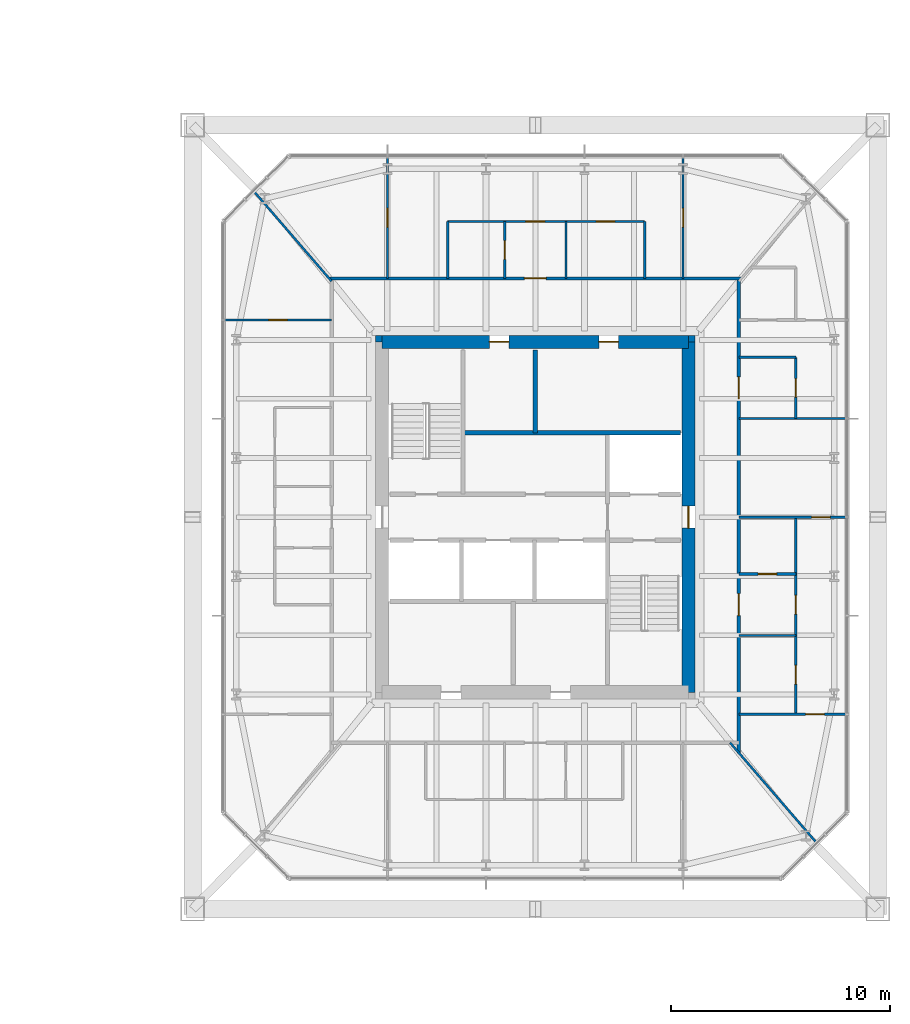
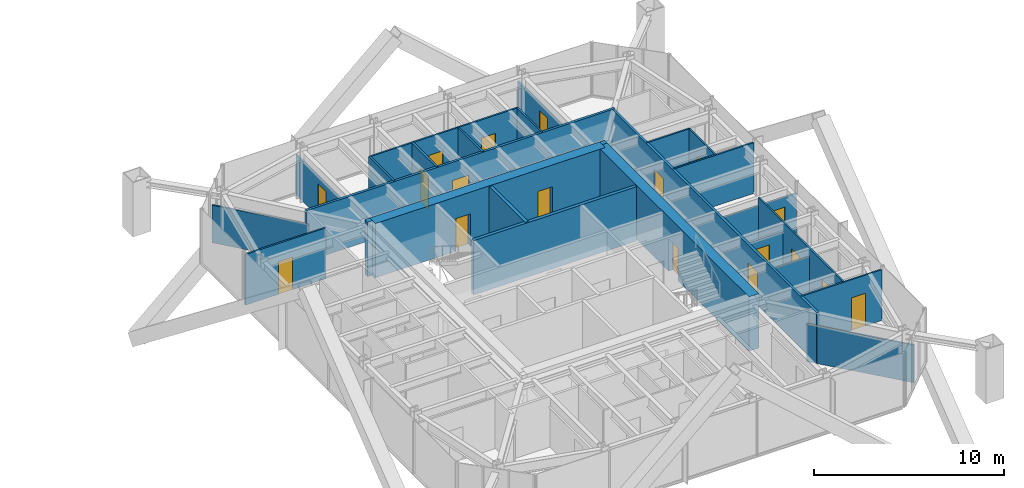
# One storey, part 18 of 25: 26 walls, 18 doors, 18 openings.
"""IFC4 building model written with IfcOpenShell, lengths in metres."""

import ifcopenshell
import ifcopenshell.guid

model = None  # the IFC model being written
_history = None  # IfcOwnerHistory: only IFC2X3 demands one
_inside = {}  # id of a spatial element -> (the spatial element, [elements in it])
_under = {}  # id of a project, library or spatial element -> (it, [spatial elements below it])
_declared = {}  # id of a project -> (the project, [libraries it declares])
_typed = {}  # id of a type object -> (the type object, [elements of that type])
_made_of = {}  # id of a material, layer set ... -> (it, [elements and type objects made of it])


def new_model(schema):
    """Start an empty IFC model of exactly this schema.

    Asked for "IFC4X3", IfcOpenShell would pick the latest addendum, in which some entities
    have other attributes; the version numbers below select the first issue.
    IFC2X3 requires an IfcOwnerHistory on every rooted entity: one is made here for all.
    """
    global model, _history
    if schema == "IFC4X3":
        model = ifcopenshell.file(schema_version=(4, 3, 0, 0))
    else:
        model = ifcopenshell.file(schema=schema)
    _inside.clear()
    _under.clear()
    _declared.clear()
    _typed.clear()
    _made_of.clear()
    _history = None
    if model.schema == "IFC2X3":
        org = make("IfcOrganization", Name="unknown")
        user = make(
            "IfcPersonAndOrganization",
            ThePerson=make("IfcPerson", FamilyName="unknown"),
            TheOrganization=org,
        )
        app = make(
            "IfcApplication",
            ApplicationDeveloper=org,
            Version="unknown",
            ApplicationFullName="unknown",
            ApplicationIdentifier="unknown",
        )
        _history = make(
            "IfcOwnerHistory",
            OwningUser=user,
            OwningApplication=app,
            ChangeAction="ADDED",
            CreationDate=0,
        )
    return model


def make(cls, **values):
    """One entity of the class cls with the attributes given. An attribute that is None is left unset."""
    return model.create_entity(
        cls, **{name: value for name, value in values.items() if value is not None}
    )


def rooted(cls, **values):
    """An entity with a GlobalId (a new one), such as an element, a storey or a relation."""
    return make(cls, GlobalId=ifcopenshell.guid.new(), OwnerHistory=_history, **values)


def si_unit(unit_type, name, prefix=None):
    """IfcSIUnit, for example si_unit("LENGTHUNIT", "METRE", prefix="MILLI")."""
    return make("IfcSIUnit", UnitType=unit_type, Prefix=prefix, Name=name)


def assignment(units):
    """IfcUnitAssignment: the units of a project."""
    return None if units is None else make("IfcUnitAssignment", Units=units)


def point(xyz):
    """IfcCartesianPoint."""
    return None if xyz is None else make("IfcCartesianPoint", Coordinates=xyz)


def direction(xyz):
    """IfcDirection."""
    return None if xyz is None else make("IfcDirection", DirectionRatios=xyz)


def frame(location, z_axis=None, x_axis=None):
    """IfcAxis2Placement3D, a coordinate frame: its origin and axes. An axis left out is left unset."""
    return make(
        "IfcAxis2Placement3D",
        Location=point(location),
        Axis=direction(z_axis),
        RefDirection=direction(x_axis),
    )


def frame_2d(location, x_axis=None):
    """IfcAxis2Placement2D, a coordinate frame in the plane: its origin and x axis."""
    return make(
        "IfcAxis2Placement2D", Location=point(location), RefDirection=direction(x_axis)
    )


def origin():
    """The frame at (0, 0, 0) with its axes left unset."""
    return frame((0.0, 0.0, 0.0))


def place(relative_to, where):
    """IfcLocalPlacement: puts the frame where relative to a parent placement (None: the world)."""
    return make(
        "IfcLocalPlacement", PlacementRelTo=relative_to, RelativePlacement=where
    )


def context(
    kind, dimensions, precision=None, world=None, true_north=None, identifier=None
):
    """IfcGeometricRepresentationContext, for example the 3D "Model" context."""
    return make(
        "IfcGeometricRepresentationContext",
        ContextIdentifier=identifier,
        ContextType=kind,
        CoordinateSpaceDimension=dimensions,
        Precision=precision,
        WorldCoordinateSystem=world,
        TrueNorth=true_north,
    )


def subcontext(parent, identifier, kind, view, scale=None):
    """IfcGeometricRepresentationSubContext, for example "Body" below "Model"."""
    return make(
        "IfcGeometricRepresentationSubContext",
        ContextIdentifier=identifier,
        ContextType=kind,
        ParentContext=parent,
        TargetScale=scale,
        TargetView=view,
    )


def project(units=None, contexts=None):
    """IfcProject with its units and contexts."""
    return rooted(
        "IfcProject",
        Name="project",
        RepresentationContexts=contexts,
        UnitsInContext=assignment(units),
    )


def spatial(cls, under=None, at=None, **own):
    """A site, building, storey or space (cls), placed at a placement, below another one or the project."""
    s = rooted(cls, ObjectPlacement=at, **own)
    if under is not None:
        _under.setdefault(under.id(), (under, []))[1].append(s)
    return s


def profile(cls, at=None, kind="AREA", **sizes):
    """A parametric profile (cls). Its sizes go by their IFC names, for example OverallWidth=200.0."""
    return make(cls, ProfileType=kind, Position=at, **sizes)


def rectangle(**sizes):
    """IfcRectangleProfileDef."""
    return profile("IfcRectangleProfileDef", **sizes)


def extrude(swept, where, along, depth):
    """IfcExtrudedAreaSolid: the profile swept, set in the frame where, extruded along a direction by depth."""
    return make(
        "IfcExtrudedAreaSolid",
        SweptArea=swept,
        Position=where,
        ExtrudedDirection=direction(along),
        Depth=depth,
    )


def shape(context_of_items, identifier, shape_type, items):
    """IfcShapeRepresentation: the items that make up one representation, for example the "Body"."""
    return make(
        "IfcShapeRepresentation",
        ContextOfItems=context_of_items,
        RepresentationIdentifier=identifier,
        RepresentationType=shape_type,
        Items=items,
    )


def material(Name=None, Category=None):
    """IfcMaterial."""
    return make("IfcMaterial", Name=Name, Category=Category)


def layer(
    of_material, thickness, ventilated=None, Name=None, Category=None, Priority=None
):
    """IfcMaterialLayer: one layer of a wall or slab, of a material (None: an air gap)."""
    return make(
        "IfcMaterialLayer",
        Material=of_material,
        LayerThickness=thickness,
        IsVentilated=ventilated,
        Name=Name,
        Category=Category,
        Priority=Priority,
    )


def layer_set(layers, Name=None):
    """IfcMaterialLayerSet."""
    return make("IfcMaterialLayerSet", MaterialLayers=layers, LayerSetName=Name)


def made_of(thing, what):
    """Note that an element or type object is made of a material, layer set ...; save() writes the relation."""
    if what is not None:
        _made_of.setdefault(what.id(), (what, []))[1].append(thing)
    return thing


def type_object(cls, material=None, **own):
    """A type object (cls), such as IfcWallType, which elements share."""
    return made_of(rooted(cls, **own), material)


def element(
    cls,
    number,
    at=None,
    inside=None,
    cuts=None,
    type_object=None,
    material=None,
    context=None,
    identifier="Body",
    shape_type=None,
    held_by="IfcProductDefinitionShape",
    body=None,
    shapes=None,
    **own,
):
    """One element of the class cls, such as IfcWall. Its Tag is "e" and its number.

    at: its placement. inside: the storey or other place that contains it. cuts: it is an
    opening in that element (IfcRelVoidsElement). A single representation is given by context,
    identifier, shape_type and body (its items); several are given by shapes. held_by: the class
    of the entity that holds the representations. save() writes the other relations.
    """
    e = rooted(cls, Tag="e%d" % number, ObjectPlacement=at, **own)
    if body is not None:
        shapes = [shape(context, identifier, shape_type, body)]
    if shapes is not None:
        e.Representation = make(held_by, Representations=shapes)
    if inside is not None:
        _inside.setdefault(inside.id(), (inside, []))[1].append(e)
    if cuts is not None:
        rooted(
            "IfcRelVoidsElement", RelatingBuildingElement=cuts, RelatedOpeningElement=e
        )
    if type_object is not None:
        _typed.setdefault(type_object.id(), (type_object, []))[1].append(e)
    return made_of(e, material)


def fill(opening, filler):
    """IfcRelFillsElement: the door or window that sits in an opening."""
    return rooted(
        "IfcRelFillsElement",
        RelatingOpeningElement=opening,
        RelatedBuildingElement=filler,
    )


def aggregate(whole, parts):
    """IfcRelAggregates: a whole, such as a stair, and the parts it consists of."""
    return rooted("IfcRelAggregates", RelatingObject=whole, RelatedObjects=parts)


def save(model, path):
    """Write the relations noted so far, then the file.

    IfcRelAggregates (storeys below a building ...), IfcRelContainedInSpatialStructure (elements
    in a storey), IfcRelDefinesByType, IfcRelAssociatesMaterial and IfcRelDeclares: one each for
    every whole, place, type object, material and project.
    """
    for whole, parts in _under.values():
        aggregate(whole, parts)
    for where, things in _inside.values():
        rooted(
            "IfcRelContainedInSpatialStructure",
            RelatedElements=things,
            RelatingStructure=where,
        )
    for kind, things in _typed.values():
        rooted("IfcRelDefinesByType", RelatedObjects=things, RelatingType=kind)
    for what, things in _made_of.values():
        rooted("IfcRelAssociatesMaterial", RelatedObjects=things, RelatingMaterial=what)
    for by, libraries in _declared.values():
        rooted("IfcRelDeclares", RelatingContext=by, RelatedDefinitions=libraries)
    model.write(path)


model = new_model("IFC4")

# Units and contexts
model_context = context("Model", 3, precision=1e-05, world=origin(), true_north=direction((0.0, 1.0)))
body_context = subcontext(model_context, "Body", "Model", "MODEL_VIEW")
ifc_project = project(units=[si_unit("LENGTHUNIT", "METRE"), si_unit("AREAUNIT", "SQUARE_METRE"), si_unit("VOLUMEUNIT", "CUBIC_METRE"), si_unit("PLANEANGLEUNIT", "RADIAN"), si_unit("MASSUNIT", "GRAM", prefix="KILO")], contexts=[model_context])

# Site, building, storey
site_placement = place(None, origin())
site = spatial("IfcSite", under=ifc_project, at=site_placement, CompositionType="ELEMENT")
building_placement = place(site_placement, origin())
building = spatial("IfcBuilding", under=site, at=building_placement, Name="Iwan Alto Co-Living Towers", CompositionType="ELEMENT")
storey_placement = place(building_placement, frame((0.0, 0.0, 108.5)))
storey = spatial("IfcBuildingStorey", under=building, at=storey_placement, Name="L29", CompositionType="ELEMENT", Elevation=108.5)

# Wall, opening, door
ifc_material_1 = material(Name="Gypsum board")
ifc_layer_1 = layer(ifc_material_1, 0.02490234375, Name="Board", Category="Finish")
ifc_material_2 = material(Name="Steel ASTM A1003 ST33H cold-formed studs", Category="steel")
ifc_layer_2 = layer(ifc_material_2, 0.10009765625, Name="Studs", Category="Framing")
ifc_layer_3 = layer(ifc_material_1, 0.02490234375, Name="Board", Category="Finish")
ifc_layer_set_1 = layer_set([ifc_layer_1, ifc_layer_2, ifc_layer_3], Name="CORRIDOR WALL 150")
wall_type_1 = type_object("IfcWallType", Name="CORRIDOR WALL 150", PredefinedType="PARTITIONING", material=ifc_layer_set_1)
wall_1_placement = place(storey_placement, frame((53.5859375, 10.89990234375, 0.0), z_axis=(0.0, 0.0, 1.0), x_axis=(1.0, 0.0, 0.0)))
wall_1 = element("IfcWall", 1, at=wall_1_placement, inside=storey, type_object=wall_type_1, Name="Partition L29", PredefinedType="PARTITIONING", context=body_context, shape_type="SweptSolid", body=[
    extrude(rectangle(XDim=18.828125, YDim=0.14990234375, at=frame_2d((9.4140625, 0.0))), origin(), (0.0, 0.0, 1.0), 3.27001953125),
])
opening_1_placement = place(wall_1_placement, frame((8.9140625, 0.0, 0.0)))
opening_1 = element("IfcOpeningElement", 2, at=opening_1_placement, cuts=wall_1, Name="Opening D3", PredefinedType="OPENING", context=body_context, shape_type="SweptSolid", body=[
    extrude(rectangle(XDim=1.0, YDim=2.10009765625, at=frame_2d((0.5, 1.050048828125))), frame((0.0, 0.0849609375, 0.0), z_axis=(0.0, -1.0, 0.0), x_axis=(1.0, 0.0, 0.0)), (0.0, 0.0, 1.0), 0.169921875),
])
ifc_material_3 = material(Name="Steel frame with timber leaf", Category="steel")
door_type_1 = type_object("IfcDoorType", Name="FLAT ENTRANCE DOOR FD30S 1000X2100", OperationType="SINGLE_SWING_LEFT", PredefinedType="DOOR", material=ifc_material_3)
door_1_placement = place(opening_1_placement, origin())
door_1 = element("IfcDoor", 3, at=door_1_placement, inside=storey, type_object=door_type_1, Name="Apartment foyer door L29", OperationType="SINGLE_SWING_LEFT", OverallHeight=2.10009765625, OverallWidth=1.0, PredefinedType="DOOR", context=body_context, shape_type="SweptSolid", body=[
    extrude(rectangle(XDim=1.0, YDim=2.10009765625, at=frame_2d((0.5, 1.050048828125))), frame((0.0, 0.02490234375, 0.0), z_axis=(0.0, -1.0, 0.0), x_axis=(1.0, 0.0, 0.0)), (0.0, 0.0, 1.0), 0.050048828125),
])
fill(opening_1, door_1)

# Wall, openings, doors
wall_2_placement = place(storey_placement, frame((72.300048828125, -10.76806640625, 0.0), z_axis=(0.0, 0.0, 1.0), x_axis=(0.0, 1.0, 0.0)))
wall_2 = element("IfcWall", 4, at=wall_2_placement, inside=storey, type_object=wall_type_1, Name="Partition L29", PredefinedType="PARTITIONING", context=body_context, shape_type="SweptSolid", body=[
    extrude(rectangle(XDim=21.66796875, YDim=0.14990234375, at=frame_2d((10.833984375, 0.0))), origin(), (0.0, 0.0, 1.0), 3.27001953125),
])
opening_2_placement = place(wall_2_placement, frame((6.26806640625, 0.0, 0.0)))
opening_2 = element("IfcOpeningElement", 5, at=opening_2_placement, cuts=wall_2, Name="Opening D3", PredefinedType="OPENING", context=body_context, shape_type="SweptSolid", body=[
    extrude(rectangle(XDim=1.0, YDim=2.10009765625, at=frame_2d((0.5, 1.050048828125))), frame((0.0, 0.0849609375, 0.0), z_axis=(0.0, -1.0, 0.0), x_axis=(1.0, 0.0, 0.0)), (0.0, 0.0, 1.0), 0.169921875),
])
opening_3_placement = place(wall_2_placement, frame((16.16796875, 0.0, 0.0)))
opening_3 = element("IfcOpeningElement", 6, at=opening_3_placement, cuts=wall_2, Name="Opening D3", PredefinedType="OPENING", context=body_context, shape_type="SweptSolid", body=[
    extrude(rectangle(XDim=1.0, YDim=2.10009765625, at=frame_2d((0.5, 1.050048828125))), frame((0.0, 0.0849609375, 0.0), z_axis=(0.0, -1.0, 0.0), x_axis=(1.0, 0.0, 0.0)), (0.0, 0.0, 1.0), 0.169921875),
])
door_2_placement = place(opening_2_placement, frame((1.0, 0.0, 0.0), z_axis=(0.0, 0.0, 1.0), x_axis=(-1.0, 0.0, 0.0)))
door_2 = element("IfcDoor", 7, at=door_2_placement, inside=storey, type_object=door_type_1, Name="Apartment foyer door L29", OperationType="SINGLE_SWING_RIGHT", OverallHeight=2.10009765625, OverallWidth=1.0, PredefinedType="DOOR", context=body_context, shape_type="SweptSolid", body=[
    extrude(rectangle(XDim=1.0, YDim=2.10009765625, at=frame_2d((0.5, 1.050048828125))), frame((0.0, 0.02490234375, 0.0), z_axis=(0.0, -1.0, 0.0), x_axis=(1.0, 0.0, 0.0)), (0.0, 0.0, 1.0), 0.050048828125),
])
fill(opening_2, door_2)
door_3_placement = place(opening_3_placement, frame((1.0, 0.0, 0.0), z_axis=(0.0, 0.0, 1.0), x_axis=(-1.0, 0.0, 0.0)))
door_3 = element("IfcDoor", 8, at=door_3_placement, inside=storey, type_object=door_type_1, Name="Apartment foyer door L29", OperationType="SINGLE_SWING_RIGHT", OverallHeight=2.10009765625, OverallWidth=1.0, PredefinedType="DOOR", context=body_context, shape_type="SweptSolid", body=[
    extrude(rectangle(XDim=1.0, YDim=2.10009765625, at=frame_2d((0.5, 1.050048828125))), frame((0.0, 0.02490234375, 0.0), z_axis=(0.0, -1.0, 0.0), x_axis=(1.0, 0.0, 0.0)), (0.0, 0.0, 1.0), 0.050048828125),
])
fill(opening_3, door_3)

# Wall, opening, door
ifc_layer_4 = layer(ifc_material_1, 0.012451171875, Name="Board", Category="Finish")
ifc_layer_5 = layer(ifc_material_2, 0.074951171875, Name="Studs", Category="Framing")
ifc_layer_6 = layer(ifc_material_1, 0.012451171875, Name="Board", Category="Finish")
ifc_layer_set_2 = layer_set([ifc_layer_4, ifc_layer_5, ifc_layer_6], Name="PARTITION 100")
wall_type_2 = type_object("IfcWallType", Name="PARTITION 100", PredefinedType="PARTITIONING", material=ifc_layer_set_2)
wall_3_placement = place(storey_placement, frame((72.300048828125, -9.0, 0.0), z_axis=(0.0, 0.0, 1.0), x_axis=(1.0, 0.0, 0.0)))
wall_3 = element("IfcWall", 9, at=wall_3_placement, inside=storey, type_object=wall_type_2, Name="Partition L29", PredefinedType="PARTITIONING", context=body_context, shape_type="SweptSolid", body=[
    extrude(rectangle(XDim=4.889892578125, YDim=0.10009765625, at=frame_2d((2.44482421875, 0.0))), origin(), (0.0, 0.0, 1.0), 3.27001953125),
])
opening_4_placement = place(wall_3_placement, frame((3.050048828125, 0.0, 0.0)))
opening_4 = element("IfcOpeningElement", 10, at=opening_4_placement, cuts=wall_3, Name="Opening D2", PredefinedType="OPENING", context=body_context, shape_type="SweptSolid", body=[
    extrude(rectangle(XDim=0.85009765625, YDim=2.10009765625, at=frame_2d((0.425048828125, 1.050048828125))), frame((0.0, 0.06005859375, 0.0), z_axis=(0.0, -1.0, 0.0), x_axis=(1.0, 0.0, 0.0)), (0.0, 0.0, 1.0), 0.1201171875),
])
ifc_material_4 = material(Name="Timber leaf in steel frame", Category="steel")
door_type_2 = type_object("IfcDoorType", Name="ROOM DOOR 850X2100", OperationType="SINGLE_SWING_LEFT", PredefinedType="DOOR", material=ifc_material_4)
door_4_placement = place(opening_4_placement, frame((0.85009765625, 0.0, 0.0), z_axis=(0.0, 0.0, 1.0), x_axis=(-1.0, 0.0, 0.0)))
door_4 = element("IfcDoor", 11, at=door_4_placement, inside=storey, type_object=door_type_2, Name="Bedroom door L29", OperationType="SINGLE_SWING_LEFT", OverallHeight=2.10009765625, OverallWidth=0.85009765625, PredefinedType="DOOR", context=body_context, shape_type="SweptSolid", body=[
    extrude(rectangle(XDim=0.85009765625, YDim=2.10009765625, at=frame_2d((0.425048828125, 1.050048828125))), frame((0.0, 0.02490234375, 0.0), z_axis=(0.0, -1.0, 0.0), x_axis=(1.0, 0.0, 0.0)), (0.0, 0.0, 1.0), 0.050048828125),
])
fill(opening_4, door_4)

# Walls
wall_4_placement = place(storey_placement, frame((72.300048828125, -5.39990234375, 0.0), z_axis=(0.0, 0.0, 1.0), x_axis=(1.0, 0.0, 0.0)))
element("IfcWall", 12, at=wall_4_placement, inside=storey, type_object=wall_type_2, Name="Partition L29", PredefinedType="PARTITIONING", context=body_context, shape_type="SweptSolid", body=[
    extrude(rectangle(XDim=2.599853515625, YDim=0.10009765625, at=frame_2d((1.2998046875, 0.0))), origin(), (0.0, 0.0, 1.0), 2.736572265625),
])
wall_5_placement = place(storey_placement, frame((72.300048828125, 4.5, 0.0), z_axis=(0.0, 0.0, 1.0), x_axis=(1.0, 0.0, 0.0)))
element("IfcWall", 13, at=wall_5_placement, inside=storey, type_object=wall_type_2, Name="Partition L29", PredefinedType="PARTITIONING", context=body_context, shape_type="SweptSolid", body=[
    extrude(rectangle(XDim=4.889892578125, YDim=0.10009765625, at=frame_2d((2.44482421875, 0.0))), origin(), (0.0, 0.0, 1.0), 3.27001953125),
])
wall_6_placement = place(storey_placement, frame((72.300048828125, 7.300048828125, 0.0), z_axis=(0.0, 0.0, 1.0), x_axis=(1.0, 0.0, 0.0)))
element("IfcWall", 14, at=wall_6_placement, inside=storey, type_object=wall_type_2, Name="Partition L29", PredefinedType="PARTITIONING", context=body_context, shape_type="SweptSolid", body=[
    extrude(rectangle(XDim=2.599853515625, YDim=0.10009765625, at=frame_2d((1.2998046875, 0.0))), origin(), (0.0, 0.0, 1.0), 3.27001953125),
])

# Wall, opening, door
wall_7_placement = place(storey_placement, frame((48.81005859375, 9.0, 0.0), z_axis=(0.0, 0.0, 1.0), x_axis=(1.0, 0.0, 0.0)))
wall_7 = element("IfcWall", 15, at=wall_7_placement, inside=storey, type_object=wall_type_2, Name="Partition L29", PredefinedType="PARTITIONING", context=body_context, shape_type="SweptSolid", body=[
    extrude(rectangle(XDim=4.889892578125, YDim=0.10009765625, at=frame_2d((2.44482421875, 0.0))), origin(), (0.0, 0.0, 1.0), 3.27001953125),
])
opening_5_placement = place(wall_7_placement, frame((2.02001953125, 0.0, 0.0)))
opening_5 = element("IfcOpeningElement", 16, at=opening_5_placement, cuts=wall_7, Name="Opening D2", PredefinedType="OPENING", context=body_context, shape_type="SweptSolid", body=[
    extrude(rectangle(XDim=0.85009765625, YDim=2.10009765625, at=frame_2d((0.425048828125, 1.050048828125))), frame((0.0, 0.06005859375, 0.0), z_axis=(0.0, -1.0, 0.0), x_axis=(1.0, 0.0, 0.0)), (0.0, 0.0, 1.0), 0.1201171875),
])
door_5_placement = place(opening_5_placement, frame((0.85009765625, 0.0, 0.0), z_axis=(0.0, 0.0, 1.0), x_axis=(-1.0, 0.0, 0.0)))
door_5 = element("IfcDoor", 17, at=door_5_placement, inside=storey, type_object=door_type_2, Name="Bedroom door L29", OperationType="SINGLE_SWING_LEFT", OverallHeight=2.10009765625, OverallWidth=0.85009765625, PredefinedType="DOOR", context=body_context, shape_type="SweptSolid", body=[
    extrude(rectangle(XDim=0.85009765625, YDim=2.10009765625, at=frame_2d((0.425048828125, 1.050048828125))), frame((0.0, 0.02490234375, 0.0), z_axis=(0.0, -1.0, 0.0), x_axis=(1.0, 0.0, 0.0)), (0.0, 0.0, 1.0), 0.050048828125),
])
fill(opening_5, door_5)

# Wall, openings, doors
wall_8_placement = place(storey_placement, frame((59.0, 13.5, 0.0), z_axis=(0.0, 0.0, 1.0), x_axis=(1.0, 0.0, 0.0)))
wall_8 = element("IfcWall", 18, at=wall_8_placement, inside=storey, type_object=wall_type_2, Name="Partition L29", PredefinedType="PARTITIONING", context=body_context, shape_type="SweptSolid", body=[
    extrude(rectangle(XDim=9.0, YDim=0.10009765625, at=frame_2d((4.5, 0.0))), origin(), (0.0, 0.0, 1.0), 3.27001953125),
])
opening_6_placement = place(wall_8_placement, frame((6.77490234375, 0.0, 0.0)))
opening_6 = element("IfcOpeningElement", 19, at=opening_6_placement, cuts=wall_8, Name="Opening D2", PredefinedType="OPENING", context=body_context, shape_type="SweptSolid", body=[
    extrude(rectangle(XDim=0.85009765625, YDim=2.10009765625, at=frame_2d((0.425048828125, 1.050048828125))), frame((0.0, 0.06005859375, 0.0), z_axis=(0.0, -1.0, 0.0), x_axis=(1.0, 0.0, 0.0)), (0.0, 0.0, 1.0), 0.1201171875),
])
opening_7_placement = place(wall_8_placement, frame((3.574951171875, 0.0, 0.0)))
opening_7 = element("IfcOpeningElement", 20, at=opening_7_placement, cuts=wall_8, Name="Opening D2", PredefinedType="OPENING", context=body_context, shape_type="SweptSolid", body=[
    extrude(rectangle(XDim=0.85009765625, YDim=2.10009765625, at=frame_2d((0.425048828125, 1.050048828125))), frame((0.0, 0.06005859375, 0.0), z_axis=(0.0, -1.0, 0.0), x_axis=(1.0, 0.0, 0.0)), (0.0, 0.0, 1.0), 0.1201171875),
])
door_6_placement = place(opening_6_placement, origin())
door_6 = element("IfcDoor", 21, at=door_6_placement, inside=storey, type_object=door_type_2, Name="Kitchen door L29", OperationType="SINGLE_SWING_RIGHT", OverallHeight=2.10009765625, OverallWidth=0.85009765625, PredefinedType="DOOR", context=body_context, shape_type="SweptSolid", body=[
    extrude(rectangle(XDim=0.85009765625, YDim=2.10009765625, at=frame_2d((0.425048828125, 1.050048828125))), frame((0.0, 0.02490234375, 0.0), z_axis=(0.0, -1.0, 0.0), x_axis=(1.0, 0.0, 0.0)), (0.0, 0.0, 1.0), 0.050048828125),
])
fill(opening_6, door_6)
door_7_placement = place(opening_7_placement, origin())
door_7 = element("IfcDoor", 22, at=door_7_placement, inside=storey, type_object=door_type_2, Name="Apartment foyer door L29", OperationType="SINGLE_SWING_LEFT", OverallHeight=2.10009765625, OverallWidth=0.85009765625, PredefinedType="DOOR", context=body_context, shape_type="SweptSolid", body=[
    extrude(rectangle(XDim=0.85009765625, YDim=2.10009765625, at=frame_2d((0.425048828125, 1.050048828125))), frame((0.0, 0.02490234375, 0.0), z_axis=(0.0, -1.0, 0.0), x_axis=(1.0, 0.0, 0.0)), (0.0, 0.0, 1.0), 0.050048828125),
])
fill(opening_7, door_7)

wall_9_placement = place(storey_placement, frame((74.89990234375, -9.0, 0.0), z_axis=(0.0, 0.0, 1.0), x_axis=(0.0, 1.0, 0.0)))
wall_9 = element("IfcWall", 23, at=wall_9_placement, inside=storey, type_object=wall_type_2, Name="Partition L29", PredefinedType="PARTITIONING", context=body_context, shape_type="SweptSolid", body=[
    extrude(rectangle(XDim=9.0, YDim=0.10009765625, at=frame_2d((4.5, 0.0))), origin(), (0.0, 0.0, 1.0), 3.27001953125),
])
opening_8_placement = place(wall_9_placement, frame((1.375, 0.0, 0.0)))
opening_8 = element("IfcOpeningElement", 24, at=opening_8_placement, cuts=wall_9, Name="Opening D2", PredefinedType="OPENING", context=body_context, shape_type="SweptSolid", body=[
    extrude(rectangle(XDim=0.85009765625, YDim=2.10009765625, at=frame_2d((0.425048828125, 1.050048828125))), frame((0.0, 0.06005859375, 0.0), z_axis=(0.0, -1.0, 0.0), x_axis=(1.0, 0.0, 0.0)), (0.0, 0.0, 1.0), 0.1201171875),
])
opening_9_placement = place(wall_9_placement, frame((4.574951171875, 0.0, 0.0)))
opening_9 = element("IfcOpeningElement", 25, at=opening_9_placement, cuts=wall_9, Name="Opening D2", PredefinedType="OPENING", context=body_context, shape_type="SweptSolid", body=[
    extrude(rectangle(XDim=0.85009765625, YDim=2.10009765625, at=frame_2d((0.425048828125, 1.050048828125))), frame((0.0, 0.06005859375, 0.0), z_axis=(0.0, -1.0, 0.0), x_axis=(1.0, 0.0, 0.0)), (0.0, 0.0, 1.0), 0.1201171875),
])
door_8_placement = place(opening_8_placement, frame((0.85009765625, 0.0, 0.0), z_axis=(0.0, 0.0, 1.0), x_axis=(-1.0, 0.0, 0.0)))
door_8 = element("IfcDoor", 26, at=door_8_placement, inside=storey, type_object=door_type_2, Name="Kitchen door L29", OperationType="SINGLE_SWING_RIGHT", OverallHeight=2.10009765625, OverallWidth=0.85009765625, PredefinedType="DOOR", context=body_context, shape_type="SweptSolid", body=[
    extrude(rectangle(XDim=0.85009765625, YDim=2.10009765625, at=frame_2d((0.425048828125, 1.050048828125))), frame((0.0, 0.02490234375, 0.0), z_axis=(0.0, -1.0, 0.0), x_axis=(1.0, 0.0, 0.0)), (0.0, 0.0, 1.0), 0.050048828125),
])
fill(opening_8, door_8)
door_9_placement = place(opening_9_placement, frame((0.85009765625, 0.0, 0.0), z_axis=(0.0, 0.0, 1.0), x_axis=(-1.0, 0.0, 0.0)))
door_9 = element("IfcDoor", 27, at=door_9_placement, inside=storey, type_object=door_type_2, Name="Apartment foyer door L29", OperationType="SINGLE_SWING_LEFT", OverallHeight=2.10009765625, OverallWidth=0.85009765625, PredefinedType="DOOR", context=body_context, shape_type="SweptSolid", body=[
    extrude(rectangle(XDim=0.85009765625, YDim=2.10009765625, at=frame_2d((0.425048828125, 1.050048828125))), frame((0.0, 0.02490234375, 0.0), z_axis=(0.0, -1.0, 0.0), x_axis=(1.0, 0.0, 0.0)), (0.0, 0.0, 1.0), 0.050048828125),
])
fill(opening_9, door_9)

# Wall, opening, door
wall_10_placement = place(storey_placement, frame((74.89990234375, 4.5, 0.0), z_axis=(0.0, 0.0, 1.0), x_axis=(0.0, 1.0, 0.0)))
wall_10 = element("IfcWall", 28, at=wall_10_placement, inside=storey, type_object=wall_type_2, Name="Partition L29", PredefinedType="PARTITIONING", context=body_context, shape_type="SweptSolid", body=[
    extrude(rectangle(XDim=2.800048828125, YDim=0.10009765625, at=frame_2d((1.39990234375, 0.0))), origin(), (0.0, 0.0, 1.0), 3.27001953125),
])
opening_10_placement = place(wall_10_placement, frame((0.97509765625, 0.0, 0.0)))
opening_10 = element("IfcOpeningElement", 29, at=opening_10_placement, cuts=wall_10, Name="Opening D2", PredefinedType="OPENING", context=body_context, shape_type="SweptSolid", body=[
    extrude(rectangle(XDim=0.85009765625, YDim=2.10009765625, at=frame_2d((0.425048828125, 1.050048828125))), frame((0.0, 0.06005859375, 0.0), z_axis=(0.0, -1.0, 0.0), x_axis=(1.0, 0.0, 0.0)), (0.0, 0.0, 1.0), 0.1201171875),
])
door_10_placement = place(opening_10_placement, frame((0.85009765625, 0.0, 0.0), z_axis=(0.0, 0.0, 1.0), x_axis=(-1.0, 0.0, 0.0)))
door_10 = element("IfcDoor", 30, at=door_10_placement, inside=storey, type_object=door_type_2, Name="Apartment foyer door L29", OperationType="SINGLE_SWING_RIGHT", OverallHeight=2.10009765625, OverallWidth=0.85009765625, PredefinedType="DOOR", context=body_context, shape_type="SweptSolid", body=[
    extrude(rectangle(XDim=0.85009765625, YDim=2.10009765625, at=frame_2d((0.425048828125, 1.050048828125))), frame((0.0, 0.02490234375, 0.0), z_axis=(0.0, -1.0, 0.0), x_axis=(1.0, 0.0, 0.0)), (0.0, 0.0, 1.0), 0.050048828125),
])
fill(opening_10, door_10)

wall_11_placement = place(storey_placement, frame((69.75, 10.89990234375, 0.0), z_axis=(0.0, 0.0, 1.0), x_axis=(0.0, 1.0, 0.0)))
wall_11 = element("IfcWall", 31, at=wall_11_placement, inside=storey, type_object=wall_type_2, Name="Partition L29", PredefinedType="PARTITIONING", context=body_context, shape_type="SweptSolid", body=[
    extrude(rectangle(XDim=5.5400390625, YDim=0.10009765625, at=frame_2d((2.77001953125, 0.0))), origin(), (0.0, 0.0, 1.0), 2.586669921875),
])
opening_11_placement = place(wall_11_placement, frame((2.344970703125, 0.0, 0.0)))
opening_11 = element("IfcOpeningElement", 32, at=opening_11_placement, cuts=wall_11, Name="Opening D2", PredefinedType="OPENING", context=body_context, shape_type="SweptSolid", body=[
    extrude(rectangle(XDim=0.85009765625, YDim=2.10009765625, at=frame_2d((0.425048828125, 1.050048828125))), frame((0.0, 0.06005859375, 0.0), z_axis=(0.0, -1.0, 0.0), x_axis=(1.0, 0.0, 0.0)), (0.0, 0.0, 1.0), 0.1201171875),
])
door_11_placement = place(opening_11_placement, origin())
door_11 = element("IfcDoor", 33, at=door_11_placement, inside=storey, type_object=door_type_2, Name="Study door L29", OperationType="SINGLE_SWING_LEFT", OverallHeight=2.10009765625, OverallWidth=0.85009765625, PredefinedType="DOOR", context=body_context, shape_type="SweptSolid", body=[
    extrude(rectangle(XDim=0.85009765625, YDim=2.10009765625, at=frame_2d((0.425048828125, 1.050048828125))), frame((0.0, 0.02490234375, 0.0), z_axis=(0.0, -1.0, 0.0), x_axis=(1.0, 0.0, 0.0)), (0.0, 0.0, 1.0), 0.050048828125),
])
fill(opening_11, door_11)

# Walls
for number, where, z_axis, x_axis, name in (
    (34, (68.0, 10.89990234375, 0.0), (0.0, 0.0, 1.0), (0.0, 1.0, 0.0), "Partition L29"),
    (35, (64.39990234375, 10.89990234375, 0.0), (0.0, 0.0, 1.0), (0.0, 1.0, 0.0), "Partition L29"),
):
    element("IfcWall", number, at=place(storey_placement, frame(where, z_axis=z_axis, x_axis=x_axis)), inside=storey, type_object=wall_type_2, Name=name, PredefinedType="PARTITIONING", context=body_context, shape_type="SweptSolid", body=[
        extrude(rectangle(XDim=2.60009765625, YDim=0.10009765625, at=frame_2d((1.300048828125, 0.0))), origin(), (0.0, 0.0, 1.0), 3.27001953125),
    ])

# Wall, opening, door
wall_12_placement = place(storey_placement, frame((56.25, 10.89990234375, 0.0), z_axis=(0.0, 0.0, 1.0), x_axis=(0.0, 1.0, 0.0)))
wall_12 = element("IfcWall", 36, at=wall_12_placement, inside=storey, type_object=wall_type_2, Name="Partition L29", PredefinedType="PARTITIONING", context=body_context, shape_type="SweptSolid", body=[
    extrude(rectangle(XDim=5.5400390625, YDim=0.10009765625, at=frame_2d((2.77001953125, 0.0))), origin(), (0.0, 0.0, 1.0), 2.586669921875),
])
opening_12_placement = place(wall_12_placement, frame((2.344970703125, 0.0, 0.0)))
opening_12 = element("IfcOpeningElement", 37, at=opening_12_placement, cuts=wall_12, Name="Opening D2", PredefinedType="OPENING", context=body_context, shape_type="SweptSolid", body=[
    extrude(rectangle(XDim=0.85009765625, YDim=2.10009765625, at=frame_2d((0.425048828125, 1.050048828125))), frame((0.0, 0.06005859375, 0.0), z_axis=(0.0, -1.0, 0.0), x_axis=(1.0, 0.0, 0.0)), (0.0, 0.0, 1.0), 0.1201171875),
])
door_12_placement = place(opening_12_placement, frame((0.85009765625, 0.0, 0.0), z_axis=(0.0, 0.0, 1.0), x_axis=(-1.0, 0.0, 0.0)))
door_12 = element("IfcDoor", 38, at=door_12_placement, inside=storey, type_object=door_type_2, Name="Bedroom door L29", OperationType="SINGLE_SWING_RIGHT", OverallHeight=2.10009765625, OverallWidth=0.85009765625, PredefinedType="DOOR", context=body_context, shape_type="SweptSolid", body=[
    extrude(rectangle(XDim=0.85009765625, YDim=2.10009765625, at=frame_2d((0.425048828125, 1.050048828125))), frame((0.0, 0.02490234375, 0.0), z_axis=(0.0, -1.0, 0.0), x_axis=(1.0, 0.0, 0.0)), (0.0, 0.0, 1.0), 0.050048828125),
])
fill(opening_12, door_12)

# Walls
wall_13_placement = place(storey_placement, frame((53.700927734375, 10.76806640625, 0.0), z_axis=(0.0, 0.0, 1.0), x_axis=(-0.653623410225, 0.756819950586, 0.0)))
element("IfcWall", 39, at=wall_13_placement, inside=storey, type_object=wall_type_2, Name="Partition L29", PredefinedType="PARTITIONING", context=body_context, shape_type="SweptSolid", body=[
    extrude(rectangle(XDim=5.386962890625, YDim=0.10009765625, at=frame_2d((2.693359375, 0.0))), origin(), (0.0, 0.0, 1.0), 2.42919921875),
])
wall_14_placement = place(storey_placement, frame((75.821044921875, -14.843994140625, 0.0), z_axis=(0.0, 0.0, 1.0), x_axis=(-0.65378286253, 0.756682211144, 0.0)))
element("IfcWall", 40, at=wall_14_placement, inside=storey, type_object=wall_type_2, Name="Partition L29", PredefinedType="PARTITIONING", context=body_context, shape_type="SweptSolid", body=[
    extrude(rectangle(XDim=6.005126953125, YDim=0.10009765625, at=frame_2d((3.00244140625, 0.0))), origin(), (0.0, 0.0, 1.0), 2.42919921875),
])
ifc_material_5 = material(Name="Concrete f'c 70 MPa", Category="concrete")
ifc_layer_7 = layer(ifc_material_5, 0.199951171875)
ifc_layer_set_3 = layer_set([ifc_layer_7], Name="SHAFT WALL 200")
wall_type_3 = type_object("IfcWallType", Name="SHAFT WALL 200", PredefinedType="SOLIDWALL", material=ifc_layer_set_3)
wall_15_placement = place(storey_placement, frame((59.699951171875, 3.85009765625, 0.0), z_axis=(0.0, 0.0, 1.0), x_axis=(1.0, 0.0, 0.0)))
element("IfcWall", 41, at=wall_15_placement, inside=storey, type_object=wall_type_3, Name="Shaft wall L29", PredefinedType="SOLIDWALL", context=body_context, shape_type="SweptSolid", body=[
    extrude(rectangle(XDim=9.93994140625, YDim=0.199951171875, at=frame_2d((4.969970703125, 0.0))), origin(), (0.0, 0.0, 1.0), 3.5),
])
wall_16_placement = place(storey_placement, frame((63.0, 3.85009765625, 0.0), z_axis=(0.0, 0.0, 1.0), x_axis=(0.0, 1.0, 0.0)))
element("IfcWall", 42, at=wall_16_placement, inside=storey, type_object=wall_type_3, Name="Shaft wall L29", PredefinedType="SOLIDWALL", context=body_context, shape_type="SweptSolid", body=[
    extrude(rectangle(XDim=3.789794921875, YDim=0.199951171875, at=frame_2d((1.89501953125, 0.0))), origin(), (0.0, 0.0, 1.0), 3.5),
])
ifc_material_6 = material(Name="Concrete f'c 70 MPa", Category="concrete")
ifc_layer_8 = layer(ifc_material_6, 0.300048828125)
ifc_layer_set_4 = layer_set([ifc_layer_8], Name="T2 CORE CORNER FILL 300")
wall_type_4 = type_object("IfcWallType", Name="T2 CORE CORNER FILL 300", PredefinedType="SOLIDWALL", material=ifc_layer_set_4)
for number, where, z_axis, x_axis, name in (
    (43, (70.0, 8.14990234375, 0.0), (0.0, 0.0, 1.0), (1.0, 0.0, 0.0), "T2 core corner NE L29"),
    (44, (55.699951171875, 8.14990234375, 0.0), (0.0, 0.0, 1.0), (1.0, 0.0, 0.0), "T2 core corner NW L29"),
):
    element("IfcWall", number, at=place(storey_placement, frame(where, z_axis=z_axis, x_axis=x_axis)), inside=storey, type_object=wall_type_4, Name=name, PredefinedType="SOLIDWALL", context=body_context, shape_type="SweptSolid", body=[
        extrude(rectangle(XDim=0.300048828125, YDim=0.300048828125, at=frame_2d((0.14990234375, 0.0))), origin(), (0.0, 0.0, 1.0), 3.5),
    ])

# Wall, openings, doors
ifc_material_7 = material(Name="Concrete f'c 70 MPa", Category="concrete")
ifc_layer_9 = layer(ifc_material_7, 0.60009765625)
ifc_layer_set_5 = layer_set([ifc_layer_9], Name="T2 CORE WALL 600")
wall_type_5 = type_object("IfcWallType", Name="T2 CORE WALL 600", PredefinedType="SHEAR", material=ifc_layer_set_5)
wall_17_placement = place(storey_placement, frame((70.0, 8.0, 0.0), z_axis=(0.0, 0.0, 1.0), x_axis=(-1.0, 0.0, 0.0)))
wall_17 = element("IfcWall", 45, at=wall_17_placement, inside=storey, type_object=wall_type_5, Name="T2 core wall N L29", PredefinedType="SHEAR", context=body_context, shape_type="SweptSolid", body=[
    extrude(rectangle(XDim=14.0, YDim=0.60009765625, at=frame_2d((7.0, 0.0))), origin(), (0.0, 0.0, 1.0), 3.5),
])
opening_13_placement = place(wall_17_placement, frame((8.199951171875, 0.0, 0.0)))
opening_13 = element("IfcOpeningElement", 46, at=opening_13_placement, cuts=wall_17, Name="Opening D8", PredefinedType="OPENING", context=body_context, shape_type="SweptSolid", body=[
    extrude(rectangle(XDim=0.89990234375, YDim=2.10009765625, at=frame_2d((0.449951171875, 1.050048828125))), frame((0.0, 0.31005859375, 0.0), z_axis=(0.0, -1.0, 0.0), x_axis=(1.0, 0.0, 0.0)), (0.0, 0.0, 1.0), 0.6201171875),
])
opening_14_placement = place(wall_17_placement, frame((3.199951171875, 0.0, 0.0)))
opening_14 = element("IfcOpeningElement", 47, at=opening_14_placement, cuts=wall_17, Name="Opening D8", PredefinedType="OPENING", context=body_context, shape_type="SweptSolid", body=[
    extrude(rectangle(XDim=0.89990234375, YDim=2.10009765625, at=frame_2d((0.449951171875, 1.050048828125))), frame((0.0, 0.31005859375, 0.0), z_axis=(0.0, -1.0, 0.0), x_axis=(1.0, 0.0, 0.0)), (0.0, 0.0, 1.0), 0.6201171875),
])
ifc_material_8 = material(Name="Steel frame with timber leaf", Category="steel")
door_type_3 = type_object("IfcDoorType", Name="RISER DOOR FD120 900X2100", OperationType="SINGLE_SWING_LEFT", PredefinedType="DOOR", material=ifc_material_8)
door_13_placement = place(opening_13_placement, origin())
door_13 = element("IfcDoor", 48, at=door_13_placement, inside=storey, type_object=door_type_3, Name="Electrical riser core door L29", OperationType="SINGLE_SWING_RIGHT", OverallHeight=2.10009765625, OverallWidth=0.89990234375, PredefinedType="DOOR", context=body_context, shape_type="SweptSolid", body=[
    extrude(rectangle(XDim=0.89990234375, YDim=2.10009765625, at=frame_2d((0.449951171875, 1.050048828125))), frame((0.0, 0.02490234375, 0.0), z_axis=(0.0, -1.0, 0.0), x_axis=(1.0, 0.0, 0.0)), (0.0, 0.0, 1.0), 0.050048828125),
])
fill(opening_13, door_13)
door_14_placement = place(opening_14_placement, origin())
door_14 = element("IfcDoor", 49, at=door_14_placement, inside=storey, type_object=door_type_3, Name="Water and drainage riser core door L29", OperationType="SINGLE_SWING_RIGHT", OverallHeight=2.10009765625, OverallWidth=0.89990234375, PredefinedType="DOOR", context=body_context, shape_type="SweptSolid", body=[
    extrude(rectangle(XDim=0.89990234375, YDim=2.10009765625, at=frame_2d((0.449951171875, 1.050048828125))), frame((0.0, 0.02490234375, 0.0), z_axis=(0.0, -1.0, 0.0), x_axis=(1.0, 0.0, 0.0)), (0.0, 0.0, 1.0), 0.050048828125),
])
fill(opening_14, door_14)

# Wall, opening, door
wall_18_placement = place(storey_placement, frame((70.0, -8.0, 0.0), z_axis=(0.0, 0.0, 1.0), x_axis=(0.0, 1.0, 0.0)))
wall_18 = element("IfcWall", 50, at=wall_18_placement, inside=storey, type_object=wall_type_5, Name="T2 core wall E L29", PredefinedType="SHEAR", context=body_context, shape_type="SweptSolid", body=[
    extrude(rectangle(XDim=16.0, YDim=0.60009765625, at=frame_2d((8.0, 0.0))), origin(), (0.0, 0.0, 1.0), 3.5),
])
opening_15_placement = place(wall_18_placement, frame((7.5, 0.0, 0.0)))
opening_15 = element("IfcOpeningElement", 51, at=opening_15_placement, cuts=wall_18, Name="Opening D7", PredefinedType="OPENING", context=body_context, shape_type="SweptSolid", body=[
    extrude(rectangle(XDim=1.0, YDim=2.10009765625, at=frame_2d((0.5, 1.050048828125))), frame((0.0, 0.31005859375, 0.0), z_axis=(0.0, -1.0, 0.0), x_axis=(1.0, 0.0, 0.0)), (0.0, 0.0, 1.0), 0.6201171875),
])
ifc_material_9 = material(Name="Steel frame with timber leaf", Category="steel")
door_type_4 = type_object("IfcDoorType", Name="CORE DOOR FD120S 1000X2100", OperationType="SINGLE_SWING_LEFT", PredefinedType="DOOR", material=ifc_material_9)
door_15_placement = place(opening_15_placement, origin())
door_15 = element("IfcDoor", 52, at=door_15_placement, inside=storey, type_object=door_type_4, Name="Firefighting lobby core door L29", OperationType="SINGLE_SWING_LEFT", OverallHeight=2.10009765625, OverallWidth=1.0, PredefinedType="DOOR", context=body_context, shape_type="SweptSolid", body=[
    extrude(rectangle(XDim=1.0, YDim=2.10009765625, at=frame_2d((0.5, 1.050048828125))), frame((0.0, 0.02490234375, 0.0), z_axis=(0.0, -1.0, 0.0), x_axis=(1.0, 0.0, 0.0)), (0.0, 0.0, 1.0), 0.050048828125),
])
fill(opening_15, door_15)

ifc_material_10 = material(Name="Cement board")
ifc_layer_10 = layer(ifc_material_10, 0.012451171875, Name="Board", Category="Finish")
ifc_layer_11 = layer(ifc_material_2, 0.094970703125, Name="Studs", Category="Framing")
ifc_layer_12 = layer(ifc_material_10, 0.012451171875, Name="Board", Category="Finish")
ifc_layer_set_6 = layer_set([ifc_layer_10, ifc_layer_11, ifc_layer_12], Name="WET AREA PARTITION 120")
wall_type_6 = type_object("IfcWallType", Name="WET AREA PARTITION 120", PredefinedType="PARTITIONING", material=ifc_layer_set_6)
wall_19_placement = place(storey_placement, frame((72.300048828125, -2.60009765625, 0.0), z_axis=(0.0, 0.0, 1.0), x_axis=(1.0, 0.0, 0.0)))
wall_19 = element("IfcWall", 53, at=wall_19_placement, inside=storey, type_object=wall_type_6, Name="Partition L29", PredefinedType="PARTITIONING", context=body_context, shape_type="SweptSolid", body=[
    extrude(rectangle(XDim=2.599853515625, YDim=0.1201171875, at=frame_2d((1.2998046875, 0.0))), origin(), (0.0, 0.0, 1.0), 2.662841796875),
])
opening_16_placement = place(wall_19_placement, frame((0.875, 0.0, 0.0)))
opening_16 = element("IfcOpeningElement", 54, at=opening_16_placement, cuts=wall_19, Name="Opening D2", PredefinedType="OPENING", context=body_context, shape_type="SweptSolid", body=[
    extrude(rectangle(XDim=0.85009765625, YDim=2.10009765625, at=frame_2d((0.425048828125, 1.050048828125))), frame((0.0, 0.070068359375, 0.0), z_axis=(0.0, -1.0, 0.0), x_axis=(1.0, 0.0, 0.0)), (0.0, 0.0, 1.0), 0.14013671875),
])
door_16_placement = place(opening_16_placement, origin())
door_16 = element("IfcDoor", 55, at=door_16_placement, inside=storey, type_object=door_type_2, Name="Bathroom door L29", OperationType="SINGLE_SWING_LEFT", OverallHeight=2.10009765625, OverallWidth=0.85009765625, PredefinedType="DOOR", context=body_context, shape_type="SweptSolid", body=[
    extrude(rectangle(XDim=0.85009765625, YDim=2.10009765625, at=frame_2d((0.425048828125, 1.050048828125))), frame((0.0, 0.02490234375, 0.0), z_axis=(0.0, -1.0, 0.0), x_axis=(1.0, 0.0, 0.0)), (0.0, 0.0, 1.0), 0.050048828125),
])
fill(opening_16, door_16)

wall_20_placement = place(storey_placement, frame((72.300048828125, 0.0, 0.0), z_axis=(0.0, 0.0, 1.0), x_axis=(1.0, 0.0, 0.0)))
wall_20 = element("IfcWall", 56, at=wall_20_placement, inside=storey, type_object=wall_type_6, Name="Partition L29", PredefinedType="PARTITIONING", context=body_context, shape_type="SweptSolid", body=[
    extrude(rectangle(XDim=4.889892578125, YDim=0.1201171875, at=frame_2d((2.44482421875, 0.0))), origin(), (0.0, 0.0, 1.0), 2.736572265625),
])
opening_17_placement = place(wall_20_placement, frame((3.320068359375, 0.0, 0.0)))
opening_17 = element("IfcOpeningElement", 57, at=opening_17_placement, cuts=wall_20, Name="Opening D2", PredefinedType="OPENING", context=body_context, shape_type="SweptSolid", body=[
    extrude(rectangle(XDim=0.85009765625, YDim=2.10009765625, at=frame_2d((0.425048828125, 1.050048828125))), frame((0.0, 0.070068359375, 0.0), z_axis=(0.0, -1.0, 0.0), x_axis=(1.0, 0.0, 0.0)), (0.0, 0.0, 1.0), 0.14013671875),
])
door_17_placement = place(opening_17_placement, origin())
door_17 = element("IfcDoor", 58, at=door_17_placement, inside=storey, type_object=door_type_2, Name="Bedroom door L29", OperationType="SINGLE_SWING_RIGHT", OverallHeight=2.10009765625, OverallWidth=0.85009765625, PredefinedType="DOOR", context=body_context, shape_type="SweptSolid", body=[
    extrude(rectangle(XDim=0.85009765625, YDim=2.10009765625, at=frame_2d((0.425048828125, 1.050048828125))), frame((0.0, 0.02490234375, 0.0), z_axis=(0.0, -1.0, 0.0), x_axis=(1.0, 0.0, 0.0)), (0.0, 0.0, 1.0), 0.050048828125),
])
fill(opening_17, door_17)

wall_21_placement = place(storey_placement, frame((61.60009765625, 10.89990234375, 0.0), z_axis=(0.0, 0.0, 1.0), x_axis=(0.0, 1.0, 0.0)))
wall_21 = element("IfcWall", 59, at=wall_21_placement, inside=storey, type_object=wall_type_6, Name="Partition L29", PredefinedType="PARTITIONING", context=body_context, shape_type="SweptSolid", body=[
    extrude(rectangle(XDim=2.60009765625, YDim=0.1201171875, at=frame_2d((1.300048828125, 0.0))), origin(), (0.0, 0.0, 1.0), 3.27001953125),
])
opening_18_placement = place(wall_21_placement, frame((0.875, 0.0, 0.0)))
opening_18 = element("IfcOpeningElement", 60, at=opening_18_placement, cuts=wall_21, Name="Opening D2", PredefinedType="OPENING", context=body_context, shape_type="SweptSolid", body=[
    extrude(rectangle(XDim=0.85009765625, YDim=2.10009765625, at=frame_2d((0.425048828125, 1.050048828125))), frame((0.0, 0.070068359375, 0.0), z_axis=(0.0, -1.0, 0.0), x_axis=(1.0, 0.0, 0.0)), (0.0, 0.0, 1.0), 0.14013671875),
])
door_18_placement = place(opening_18_placement, origin())
door_18 = element("IfcDoor", 61, at=door_18_placement, inside=storey, type_object=door_type_2, Name="Bathroom door L29", OperationType="SINGLE_SWING_LEFT", OverallHeight=2.10009765625, OverallWidth=0.85009765625, PredefinedType="DOOR", context=body_context, shape_type="SweptSolid", body=[
    extrude(rectangle(XDim=0.85009765625, YDim=2.10009765625, at=frame_2d((0.425048828125, 1.050048828125))), frame((0.0, 0.02490234375, 0.0), z_axis=(0.0, -1.0, 0.0), x_axis=(1.0, 0.0, 0.0)), (0.0, 0.0, 1.0), 0.050048828125),
])
fill(opening_18, door_18)

# Wall
wall_22_placement = place(storey_placement, frame((59.0, 10.89990234375, 0.0), z_axis=(0.0, 0.0, 1.0), x_axis=(0.0, 1.0, 0.0)))
element("IfcWall", 62, at=wall_22_placement, inside=storey, type_object=wall_type_6, Name="Partition L29", PredefinedType="PARTITIONING", context=body_context, shape_type="SweptSolid", body=[
    extrude(rectangle(XDim=2.60009765625, YDim=0.1201171875, at=frame_2d((1.300048828125, 0.0))), origin(), (0.0, 0.0, 1.0), 3.27001953125),
])

save(model, "model.ifc")
